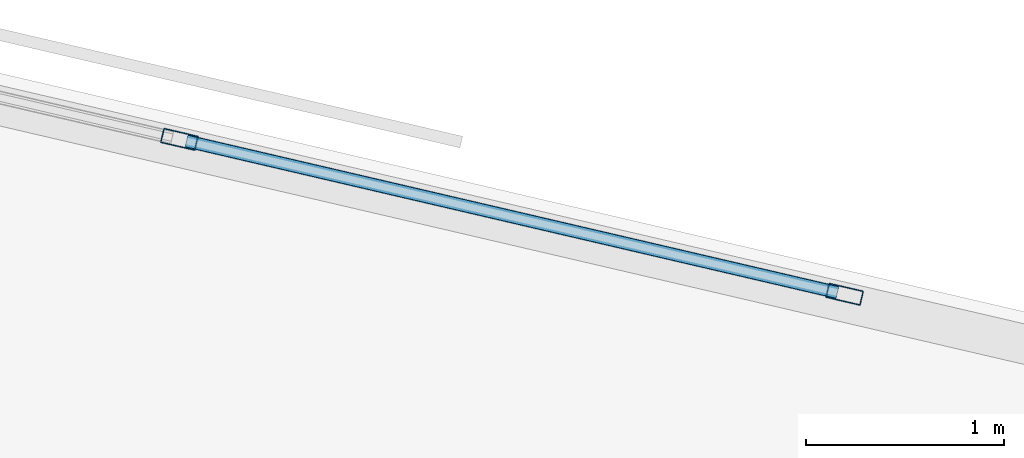
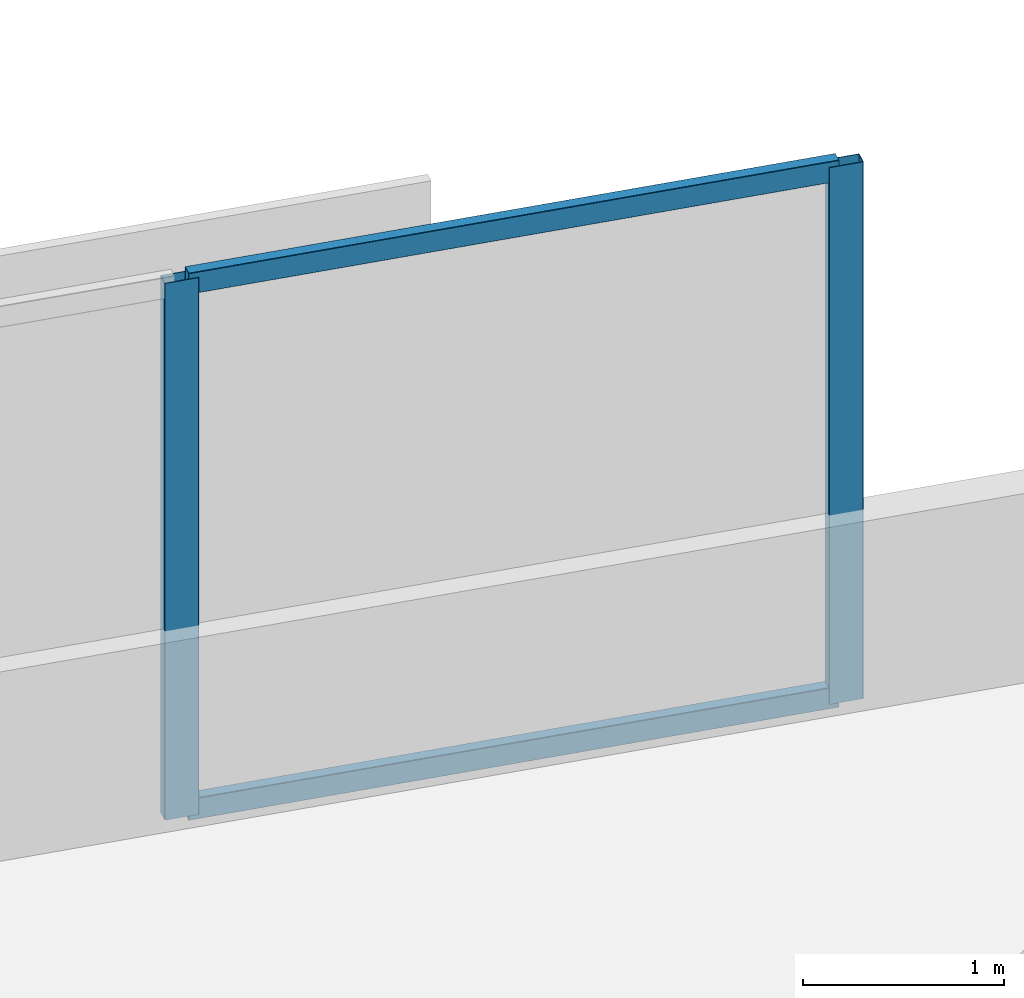
# One storey, part 2 of 14: 4 members, 1 element without a shape of its own.
"""IFC4 building model written with IfcOpenShell, lengths in metres."""

import ifcopenshell
import ifcopenshell.guid

model = None  # the IFC model being written
_history = None  # IfcOwnerHistory: only IFC2X3 demands one
_inside = {}  # id of a spatial element -> (the spatial element, [elements in it])
_under = {}  # id of a project, library or spatial element -> (it, [spatial elements below it])
_declared = {}  # id of a project -> (the project, [libraries it declares])
_typed = {}  # id of a type object -> (the type object, [elements of that type])
_made_of = {}  # id of a material, layer set ... -> (it, [elements and type objects made of it])


def new_model(schema):
    """Start an empty IFC model of exactly this schema.

    Asked for "IFC4X3", IfcOpenShell would pick the latest addendum, in which some entities
    have other attributes; the version numbers below select the first issue.
    IFC2X3 requires an IfcOwnerHistory on every rooted entity: one is made here for all.
    """
    global model, _history
    if schema == "IFC4X3":
        model = ifcopenshell.file(schema_version=(4, 3, 0, 0))
    else:
        model = ifcopenshell.file(schema=schema)
    _inside.clear()
    _under.clear()
    _declared.clear()
    _typed.clear()
    _made_of.clear()
    _history = None
    if model.schema == "IFC2X3":
        org = make("IfcOrganization", Name="unknown")
        user = make(
            "IfcPersonAndOrganization",
            ThePerson=make("IfcPerson", FamilyName="unknown"),
            TheOrganization=org,
        )
        app = make(
            "IfcApplication",
            ApplicationDeveloper=org,
            Version="unknown",
            ApplicationFullName="unknown",
            ApplicationIdentifier="unknown",
        )
        _history = make(
            "IfcOwnerHistory",
            OwningUser=user,
            OwningApplication=app,
            ChangeAction="ADDED",
            CreationDate=0,
        )
    return model


def make(cls, **values):
    """One entity of the class cls with the attributes given. An attribute that is None is left unset."""
    return model.create_entity(
        cls, **{name: value for name, value in values.items() if value is not None}
    )


def rooted(cls, **values):
    """An entity with a GlobalId (a new one), such as an element, a storey or a relation."""
    return make(cls, GlobalId=ifcopenshell.guid.new(), OwnerHistory=_history, **values)


def si_unit(unit_type, name, prefix=None):
    """IfcSIUnit, for example si_unit("LENGTHUNIT", "METRE", prefix="MILLI")."""
    return make("IfcSIUnit", UnitType=unit_type, Prefix=prefix, Name=name)


def assignment(units):
    """IfcUnitAssignment: the units of a project."""
    return None if units is None else make("IfcUnitAssignment", Units=units)


def point(xyz):
    """IfcCartesianPoint."""
    return None if xyz is None else make("IfcCartesianPoint", Coordinates=xyz)


def direction(xyz):
    """IfcDirection."""
    return None if xyz is None else make("IfcDirection", DirectionRatios=xyz)


def frame(location, z_axis=None, x_axis=None):
    """IfcAxis2Placement3D, a coordinate frame: its origin and axes. An axis left out is left unset."""
    return make(
        "IfcAxis2Placement3D",
        Location=point(location),
        Axis=direction(z_axis),
        RefDirection=direction(x_axis),
    )


def frame_2d(location, x_axis=None):
    """IfcAxis2Placement2D, a coordinate frame in the plane: its origin and x axis."""
    return make(
        "IfcAxis2Placement2D", Location=point(location), RefDirection=direction(x_axis)
    )


def origin():
    """The frame at (0, 0, 0) with its axes left unset."""
    return frame((0.0, 0.0, 0.0))


def origin_2d():
    """The frame at (0, 0) in the plane with its x axis left unset."""
    return frame_2d((0.0, 0.0))


def place(relative_to, where):
    """IfcLocalPlacement: puts the frame where relative to a parent placement (None: the world)."""
    return make(
        "IfcLocalPlacement", PlacementRelTo=relative_to, RelativePlacement=where
    )


def context(
    kind, dimensions, precision=None, world=None, true_north=None, identifier=None
):
    """IfcGeometricRepresentationContext, for example the 3D "Model" context."""
    return make(
        "IfcGeometricRepresentationContext",
        ContextIdentifier=identifier,
        ContextType=kind,
        CoordinateSpaceDimension=dimensions,
        Precision=precision,
        WorldCoordinateSystem=world,
        TrueNorth=true_north,
    )


def subcontext(parent, identifier, kind, view, scale=None):
    """IfcGeometricRepresentationSubContext, for example "Body" below "Model"."""
    return make(
        "IfcGeometricRepresentationSubContext",
        ContextIdentifier=identifier,
        ContextType=kind,
        ParentContext=parent,
        TargetScale=scale,
        TargetView=view,
    )


def project(units=None, contexts=None):
    """IfcProject with its units and contexts."""
    return rooted(
        "IfcProject",
        Name="project",
        RepresentationContexts=contexts,
        UnitsInContext=assignment(units),
    )


def spatial(cls, under=None, at=None, **own):
    """A site, building, storey or space (cls), placed at a placement, below another one or the project."""
    s = rooted(cls, ObjectPlacement=at, **own)
    if under is not None:
        _under.setdefault(under.id(), (under, []))[1].append(s)
    return s


def profile(cls, at=None, kind="AREA", **sizes):
    """A parametric profile (cls). Its sizes go by their IFC names, for example OverallWidth=200.0."""
    return make(cls, ProfileType=kind, Position=at, **sizes)


def hollow_rectangle(**sizes):
    """IfcRectangleHollowProfileDef."""
    return profile("IfcRectangleHollowProfileDef", **sizes)


def extrude(swept, where, along, depth):
    """IfcExtrudedAreaSolid: the profile swept, set in the frame where, extruded along a direction by depth."""
    return make(
        "IfcExtrudedAreaSolid",
        SweptArea=swept,
        Position=where,
        ExtrudedDirection=direction(along),
        Depth=depth,
    )


def shape(context_of_items, identifier, shape_type, items):
    """IfcShapeRepresentation: the items that make up one representation, for example the "Body"."""
    return make(
        "IfcShapeRepresentation",
        ContextOfItems=context_of_items,
        RepresentationIdentifier=identifier,
        RepresentationType=shape_type,
        Items=items,
    )


def material(Name=None, Category=None):
    """IfcMaterial."""
    return make("IfcMaterial", Name=Name, Category=Category)


def material_profile(
    of_material, cross_section, Name=None, Category=None, Priority=None
):
    """IfcMaterialProfile: a cross section and its material."""
    return make(
        "IfcMaterialProfile",
        Name=Name,
        Material=of_material,
        Profile=cross_section,
        Priority=Priority,
        Category=Category,
    )


def profile_set(profiles, Name=None, composite=None):
    """IfcMaterialProfileSet."""
    return make(
        "IfcMaterialProfileSet",
        Name=Name,
        MaterialProfiles=profiles,
        CompositeProfile=composite,
    )


def made_of(thing, what):
    """Note that an element or type object is made of a material, layer set ...; save() writes the relation."""
    if what is not None:
        _made_of.setdefault(what.id(), (what, []))[1].append(thing)
    return thing


def type_object(cls, material=None, **own):
    """A type object (cls), such as IfcWallType, which elements share."""
    return made_of(rooted(cls, **own), material)


def element(
    cls,
    number,
    at=None,
    inside=None,
    cuts=None,
    type_object=None,
    material=None,
    context=None,
    identifier="Body",
    shape_type=None,
    held_by="IfcProductDefinitionShape",
    body=None,
    shapes=None,
    **own,
):
    """One element of the class cls, such as IfcWall. Its Tag is "e" and its number.

    at: its placement. inside: the storey or other place that contains it. cuts: it is an
    opening in that element (IfcRelVoidsElement). A single representation is given by context,
    identifier, shape_type and body (its items); several are given by shapes. held_by: the class
    of the entity that holds the representations. save() writes the other relations.
    """
    e = rooted(cls, Tag="e%d" % number, ObjectPlacement=at, **own)
    if body is not None:
        shapes = [shape(context, identifier, shape_type, body)]
    if shapes is not None:
        e.Representation = make(held_by, Representations=shapes)
    if inside is not None:
        _inside.setdefault(inside.id(), (inside, []))[1].append(e)
    if cuts is not None:
        rooted(
            "IfcRelVoidsElement", RelatingBuildingElement=cuts, RelatedOpeningElement=e
        )
    if type_object is not None:
        _typed.setdefault(type_object.id(), (type_object, []))[1].append(e)
    return made_of(e, material)


def aggregate(whole, parts):
    """IfcRelAggregates: a whole, such as a stair, and the parts it consists of."""
    return rooted("IfcRelAggregates", RelatingObject=whole, RelatedObjects=parts)


def save(model, path):
    """Write the relations noted so far, then the file.

    IfcRelAggregates (storeys below a building ...), IfcRelContainedInSpatialStructure (elements
    in a storey), IfcRelDefinesByType, IfcRelAssociatesMaterial and IfcRelDeclares: one each for
    every whole, place, type object, material and project.
    """
    for whole, parts in _under.values():
        aggregate(whole, parts)
    for where, things in _inside.values():
        rooted(
            "IfcRelContainedInSpatialStructure",
            RelatedElements=things,
            RelatingStructure=where,
        )
    for kind, things in _typed.values():
        rooted("IfcRelDefinesByType", RelatedObjects=things, RelatingType=kind)
    for what, things in _made_of.values():
        rooted("IfcRelAssociatesMaterial", RelatedObjects=things, RelatingMaterial=what)
    for by, libraries in _declared.values():
        rooted("IfcRelDeclares", RelatingContext=by, RelatedDefinitions=libraries)
    model.write(path)


model = new_model("IFC4")

# Units and contexts
model_context = context("Model", 3, precision=1e-05, world=origin(), true_north=direction((0.0, 1.0)))
body_context = subcontext(model_context, "Body", "Model", "MODEL_VIEW")
ifc_project = project(units=[si_unit("LENGTHUNIT", "METRE"), si_unit("AREAUNIT", "SQUARE_METRE"), si_unit("VOLUMEUNIT", "CUBIC_METRE"), si_unit("PLANEANGLEUNIT", "RADIAN"), si_unit("MASSUNIT", "GRAM", prefix="KILO")], contexts=[model_context])

# Site, building, storey
site_placement = place(None, origin())
site = spatial("IfcSite", under=ifc_project, at=site_placement, CompositionType="ELEMENT")
building_placement = place(site_placement, origin())
building = spatial("IfcBuilding", under=site, at=building_placement, Name="Narakoshi Arena Tower", CompositionType="ELEMENT")
storey_placement = place(building_placement, frame((0.0, 0.0, 182.6201171875)))
storey = spatial("IfcBuildingStorey", under=building, at=storey_placement, Name="L49", CompositionType="ELEMENT", Elevation=182.6201171875)

# Curtain wall, members
ifc_material = material(Name="Anodised bronze aluminium 6063-T6", Category="aluminium")
curtain_wall_type = type_object("IfcCurtainWallType", Name="CW-HYP-MID", PredefinedType="NOTDEFINED", material=ifc_material)
curtain_wall_placement = place(storey_placement, origin())
curtain_wall = element("IfcCurtainWall", 1, at=curtain_wall_placement, inside=storey, type_object=curtain_wall_type, Name="L49 Folded Hypotenuse Curtain Wall 2-1", PredefinedType="NOTDEFINED")
ifc_material_profile_1 = material_profile(ifc_material, hollow_rectangle(XDim=0.074951171875, YDim=0.179931640625, WallThickness=0.00390625, OuterFilletRadius=0.0048828125, at=origin_2d()), Name="MUL180x75x4")
ifc_profile_set_1 = profile_set([ifc_material_profile_1], Name="Anodised bronze aluminium 6063-T6")
member_type_1 = type_object("IfcMemberType", Name="MEM-MUL-180", PredefinedType="MULLION", material=ifc_profile_set_1)
member_1_placement = place(storey_placement, frame((85.6767578125, 62.869384765625, 0.0), z_axis=(0.0, 0.0, 1.0), x_axis=(-0.226721182724, -0.973959704148, 0.0)))
member_1 = element("IfcMember", 2, at=member_1_placement, type_object=member_type_1, Name="CW-02 mullion 1", PredefinedType="MULLION", context=body_context, shape_type="SweptSolid", body=[
    extrude(hollow_rectangle(XDim=0.074951171875, YDim=0.179931640625, WallThickness=0.00390625, OuterFilletRadius=0.0048828125, at=origin_2d()), origin(), (0.0, 0.0, 1.0), 3.259765625),
])
member_2_placement = place(storey_placement, frame((82.312255859375, 63.652587890625, 0.0), z_axis=(0.0, 0.0, 1.0), x_axis=(-0.226721182724, -0.973959704148, 0.0)))
member_2 = element("IfcMember", 3, at=member_2_placement, type_object=member_type_1, Name="CW-02 mullion 2", PredefinedType="MULLION", context=body_context, shape_type="SweptSolid", body=[
    extrude(hollow_rectangle(XDim=0.074951171875, YDim=0.179931640625, WallThickness=0.00390625, OuterFilletRadius=0.0048828125, at=origin_2d()), origin(), (0.0, 0.0, 1.0), 3.259765625),
])
ifc_material_profile_2 = material_profile(ifc_material, hollow_rectangle(XDim=0.06494140625, YDim=0.1298828125, WallThickness=0.00390625, OuterFilletRadius=0.0048828125, at=origin_2d()), Name="TRN130x65x4")
ifc_profile_set_2 = profile_set([ifc_material_profile_2], Name="Anodised bronze aluminium 6063-T6")
member_type_2 = type_object("IfcMemberType", Name="MEM-TRN-130", PredefinedType="USERDEFINED", material=ifc_profile_set_2)
member_3_placement = place(storey_placement, frame((85.64013671875, 62.8779296875, 0.032470703125), z_axis=(-0.973946086847, 0.226779672622, 0.0), x_axis=(-0.226779672622, -0.973946086847, 0.0)))
member_3 = element("IfcMember", 4, at=member_3_placement, type_object=member_type_2, Name="CW-02 transom 1.1", ObjectType="TRANSOM", PredefinedType="USERDEFINED", context=body_context, shape_type="SweptSolid", body=[
    extrude(hollow_rectangle(XDim=0.06494140625, YDim=0.1298828125, WallThickness=0.00390625, OuterFilletRadius=0.0048828125, at=origin_2d()), origin(), (0.0, 0.0, 1.0), 3.37939453125),
])
member_4_placement = place(storey_placement, frame((85.64013671875, 62.8779296875, 3.227294921875), z_axis=(-0.973946086847, 0.226779672622, 0.0), x_axis=(-0.226779672622, -0.973946086847, 0.0)))
member_4 = element("IfcMember", 5, at=member_4_placement, type_object=member_type_2, Name="CW-02 transom 1.2", ObjectType="TRANSOM", PredefinedType="USERDEFINED", context=body_context, shape_type="SweptSolid", body=[
    extrude(hollow_rectangle(XDim=0.06494140625, YDim=0.1298828125, WallThickness=0.00390625, OuterFilletRadius=0.0048828125, at=origin_2d()), origin(), (0.0, 0.0, 1.0), 3.37939453125),
])
aggregate(curtain_wall, [member_1, member_2, member_3, member_4])

save(model, "model.ifc")
